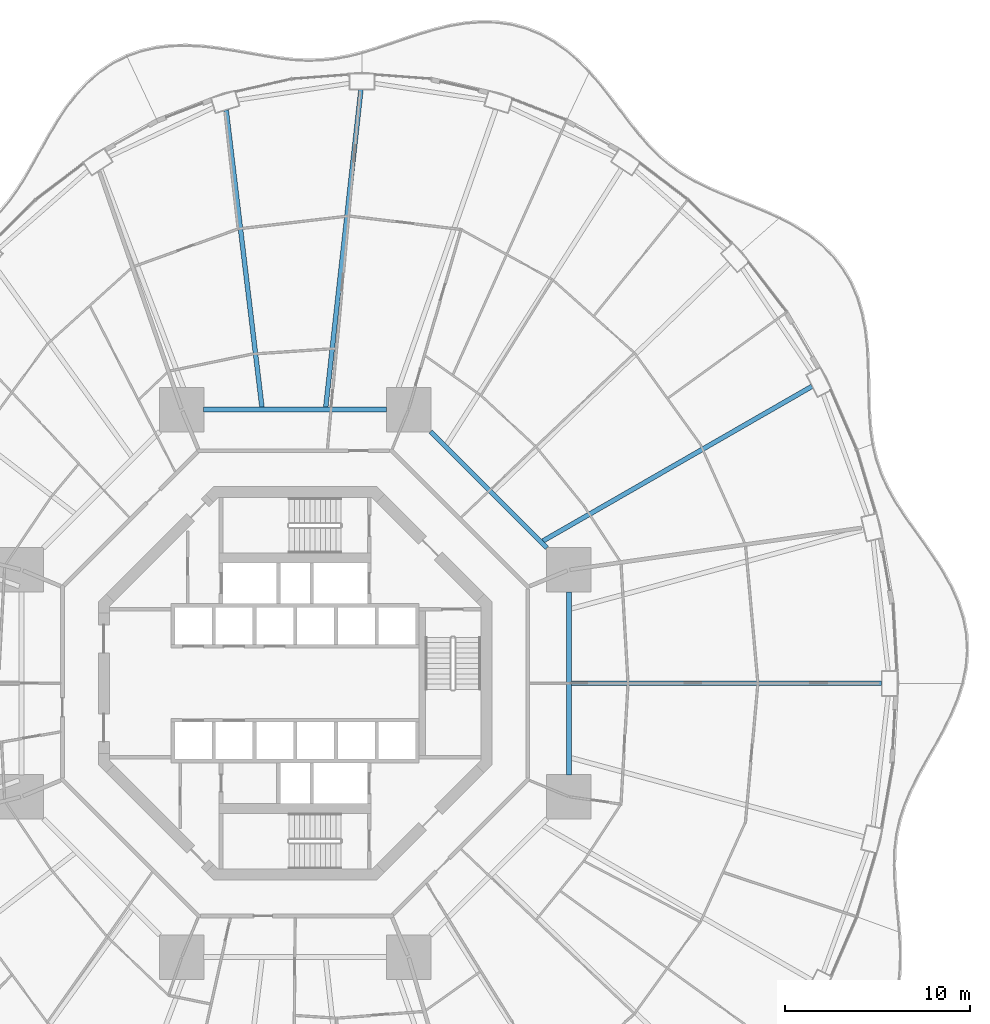
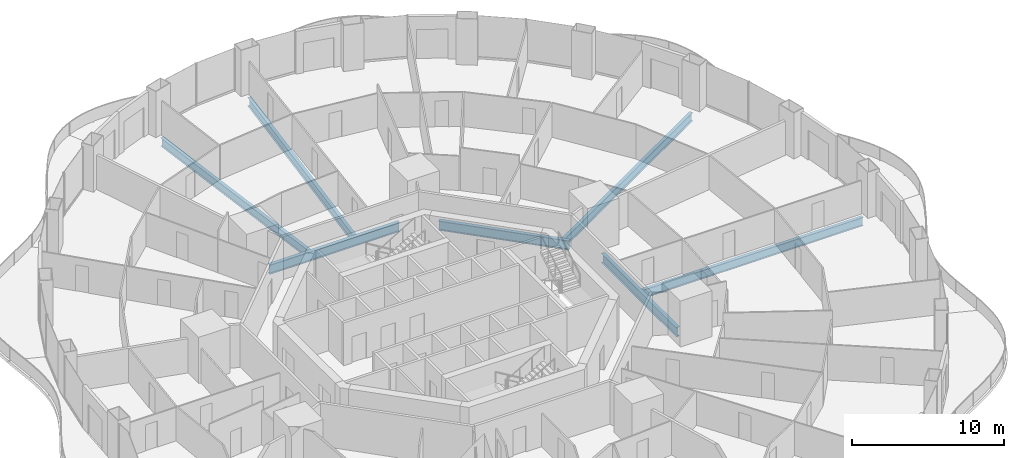
# One storey, part 8 of 22: 7 beams.
"""IFC4 building model written with IfcOpenShell, lengths in metres."""

from ifc_helpers import new_model, si_unit, direction, frame, origin, origin_2d, place, context, subcontext, project, spatial, i_section, extrude, material, material_profile, profile_set, type_object, element, save


model = new_model("IFC4")

# Units and contexts
model_context = context("Model", 3, precision=1e-05, world=origin(), true_north=direction((0.0, 1.0)))
body_context = subcontext(model_context, "Body", "Model", "MODEL_VIEW")
ifc_project = project(units=[si_unit("LENGTHUNIT", "METRE"), si_unit("AREAUNIT", "SQUARE_METRE"), si_unit("VOLUMEUNIT", "CUBIC_METRE"), si_unit("PLANEANGLEUNIT", "RADIAN"), si_unit("MASSUNIT", "GRAM", prefix="KILO")], contexts=[model_context])

# Site, building, storey
site_placement = place(None, origin())
site = spatial("IfcSite", under=ifc_project, at=site_placement, CompositionType="ELEMENT")
building_placement = place(site_placement, origin())
building = spatial("IfcBuilding", under=site, at=building_placement, Name="Nagisa Residences", CompositionType="ELEMENT")
storey_placement = place(building_placement, frame((0.0, 0.0, 52.89990234375)))
storey = spatial("IfcBuildingStorey", under=building, at=storey_placement, Name="L12", CompositionType="ELEMENT", Elevation=52.89990234375)

# Beams
ifc_material_1 = material(Name="Steel ASTM A572 Gr 50", Category="steel")
ifc_material_profile_1 = material_profile(ifc_material_1, i_section(OverallWidth=0.264892578125, OverallDepth=0.7529296875, WebThickness=0.01318359375, FlangeThickness=0.01708984375, at=origin_2d()), Name="W760x147")
ifc_profile_set_1 = profile_set([ifc_material_profile_1], Name="Steel ASTM A572 Gr 50")
beam_type_1 = type_object("IfcBeamType", Name="Inner ring beam W760x147", PredefinedType="BEAM", material=ifc_profile_set_1)
beam_1_placement = place(storey_placement, frame((13.59619140625, 7.308837890625, -0.636474609375), z_axis=(-0.707106781187, 0.707106781187, 0.0), x_axis=(-0.707106781187, -0.707106781187, 0.0)))
element("IfcBeam", 1, at=beam_1_placement, inside=storey, type_object=beam_type_1, Name="beam:L12:ib1", PredefinedType="BEAM", context=body_context, shape_type="SweptSolid", body=[
    extrude(i_section(OverallWidth=0.264892578125, OverallDepth=0.7529296875, WebThickness=0.01318359375, FlangeThickness=0.01708984375, at=origin_2d()), origin(), (0.0, 0.0, 1.0), 8.8916015625),
])
for number, where, z_axis, x_axis, name in (
    (2, (4.94287109375, 14.781982421875, -0.636474609375), (-1.0, 0.0, 0.0), (0.0, -1.0, 0.0), "beam:L12:ib2"),
    (3, (14.781982421875, -4.94287109375, -0.636474609375), (0.0, 1.0, 0.0), (-1.0, 0.0, 0.0), "beam:L12:ib8"),
):
    element("IfcBeam", number, at=place(storey_placement, frame(where, z_axis=z_axis, x_axis=x_axis)), inside=storey, type_object=beam_type_1, Name=name, PredefinedType="BEAM", context=body_context, shape_type="SweptSolid", body=[
        extrude(i_section(OverallWidth=0.264892578125, OverallDepth=0.7529296875, WebThickness=0.01318359375, FlangeThickness=0.01708984375, at=origin_2d()), origin(), (0.0, 0.0, 1.0), 9.8857421875),
    ])
ifc_material_2 = material(Name="Steel ASTM A572 Gr 50", Category="steel")
ifc_material_profile_2 = material_profile(ifc_material_2, i_section(OverallWidth=0.25390625, OverallDepth=0.68408203125, WebThickness=0.012451171875, FlangeThickness=0.018798828125, at=origin_2d()), Name="W690x140")
ifc_profile_set_2 = profile_set([ifc_material_profile_2], Name="Steel ASTM A572 Gr 50")
beam_type_2 = type_object("IfcBeamType", Name="Radial beam W690x140", PredefinedType="BEAM", material=ifc_profile_set_2)
beam_2_placement = place(storey_placement, frame((31.669921875, 0.0, -0.601806640625), z_axis=(-1.0, 0.0, 0.0), x_axis=(0.0, -1.0, 0.0)))
element("IfcBeam", 4, at=beam_2_placement, inside=storey, type_object=beam_type_2, Name="beam:L12:rb01", PredefinedType="BEAM", context=body_context, shape_type="SweptSolid", body=[
    extrude(i_section(OverallWidth=0.25390625, OverallDepth=0.68408203125, WebThickness=0.012451171875, FlangeThickness=0.018798828125, at=origin_2d()), origin(), (0.0, 0.0, 1.0), 16.775390625),
])
beam_3_placement = place(storey_placement, frame((27.908447265625, 16.035400390625, -0.601806640625), z_axis=(-0.867068052258, -0.498189715623, 0.0), x_axis=(0.498189715623, -0.867068052258, 0.0)))
element("IfcBeam", 5, at=beam_3_placement, inside=storey, type_object=beam_type_2, Name="beam:L12:rb03", PredefinedType="BEAM", context=body_context, shape_type="SweptSolid", body=[
    extrude(i_section(OverallWidth=0.25390625, OverallDepth=0.68408203125, WebThickness=0.012451171875, FlangeThickness=0.018798828125, at=origin_2d()), origin(), (0.0, 0.0, 1.0), 16.758056640625),
])
beam_4_placement = place(storey_placement, frame((3.55224609375, 32.06982421875, -0.601806640625), z_axis=(-0.110088818647, -0.993921753464, 0.0), x_axis=(0.993921753464, -0.110088818647, 0.0)))
element("IfcBeam", 6, at=beam_4_placement, inside=storey, type_object=beam_type_2, Name="beam:L12:rb07", PredefinedType="BEAM", context=body_context, shape_type="SweptSolid", body=[
    extrude(i_section(OverallWidth=0.25390625, OverallDepth=0.68408203125, WebThickness=0.012451171875, FlangeThickness=0.018798828125, at=origin_2d()), origin(), (0.0, 0.0, 1.0), 17.280029296875),
])
beam_5_placement = place(storey_placement, frame((-3.72412109375, 30.958740234375, -0.601806640625), z_axis=(0.119431411612, -0.992842453726, 0.0), x_axis=(0.992842453726, 0.119431411612, 0.0)))
element("IfcBeam", 7, at=beam_5_placement, inside=storey, type_object=beam_type_2, Name="beam:L12:rb08", PredefinedType="BEAM", context=body_context, shape_type="SweptSolid", body=[
    extrude(i_section(OverallWidth=0.25390625, OverallDepth=0.68408203125, WebThickness=0.012451171875, FlangeThickness=0.018798828125, at=origin_2d()), origin(), (0.0, 0.0, 1.0), 16.1796875),
])

save(model, "model.ifc")
